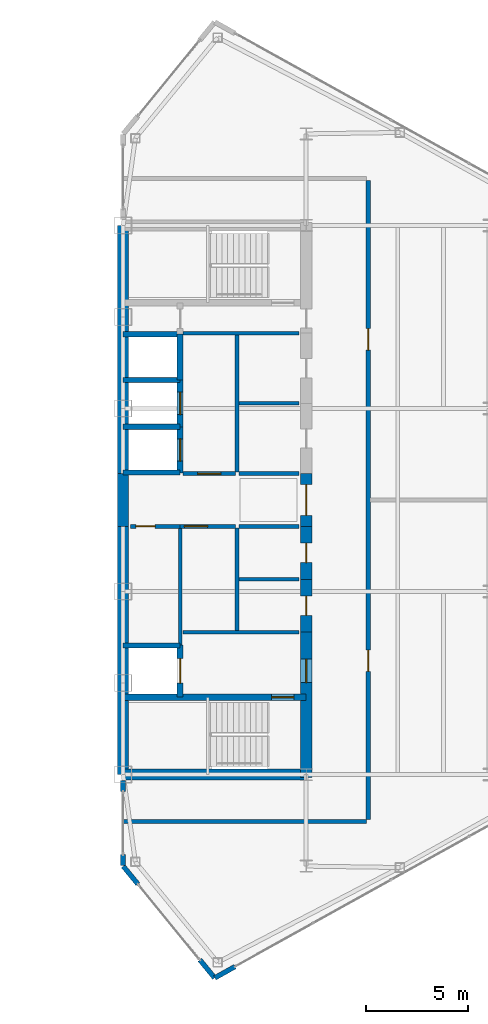
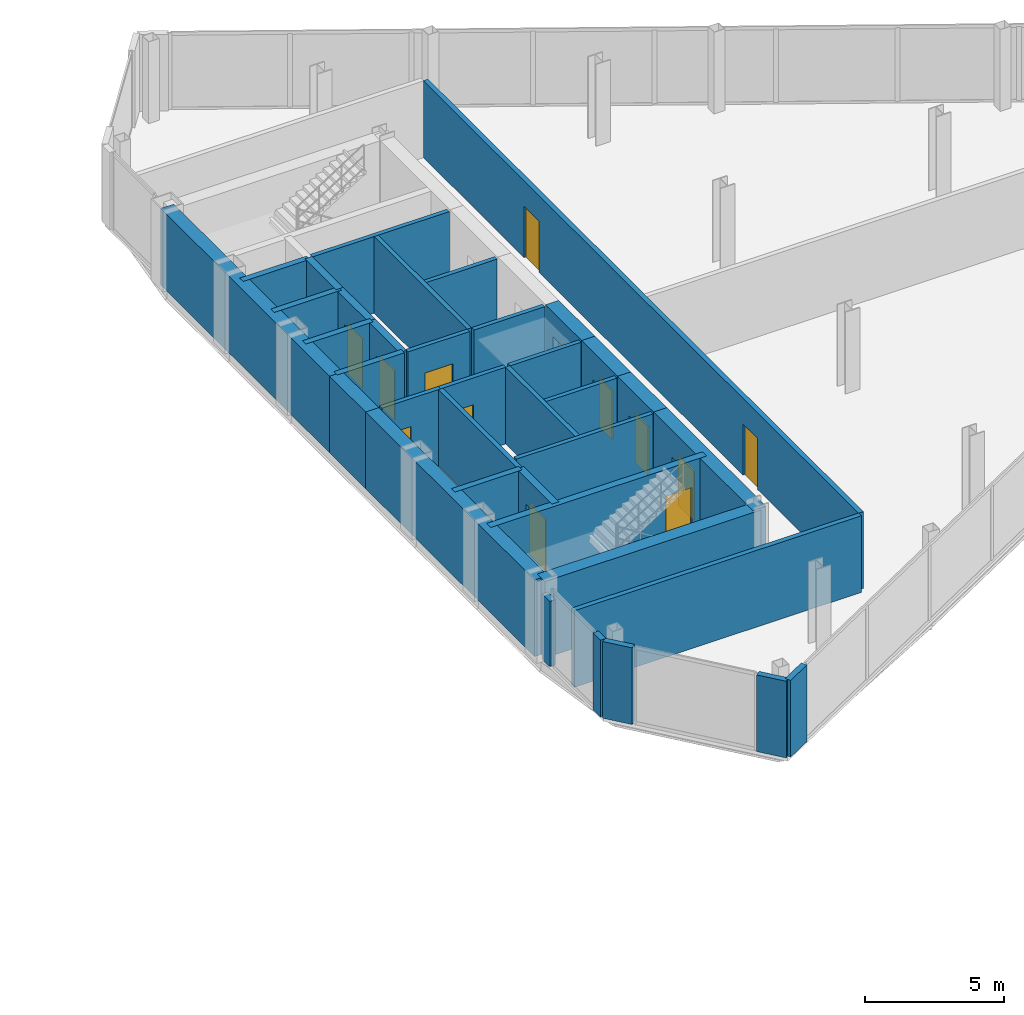
# One storey, part 22 of 26: 37 walls, 13 doors, 13 openings.
"""IFC4 building model written with IfcOpenShell, lengths in metres."""

from ifc_helpers import new_model, si_unit, direction, frame, frame_2d, origin, place, context, subcontext, project, spatial, rectangle, extrude, source, transform, mapped, material, layer, layer_set, type_object, type_shapes, element, fill, save


model = new_model("IFC4")

# Units and contexts
model_context = context("Model", 3, precision=1e-05, world=origin(), true_north=direction((0.0, 1.0)))
body_context = subcontext(model_context, "Body", "Model", "MODEL_VIEW")
ifc_project = project(units=[si_unit("LENGTHUNIT", "METRE"), si_unit("AREAUNIT", "SQUARE_METRE"), si_unit("VOLUMEUNIT", "CUBIC_METRE"), si_unit("PLANEANGLEUNIT", "RADIAN"), si_unit("MASSUNIT", "GRAM", prefix="KILO")], contexts=[model_context])

# Site, building, storey
site_placement = place(None, origin())
site = spatial("IfcSite", under=ifc_project, at=site_placement, CompositionType="ELEMENT")
building_placement = place(site_placement, origin())
building = spatial("IfcBuilding", under=site, at=building_placement, Name="Seokmaru Belvedere", CompositionType="ELEMENT")
storey_placement = place(building_placement, frame((0.0, 0.0, 181.5)))
storey = spatial("IfcBuildingStorey", under=building, at=storey_placement, Name="L48", CompositionType="ELEMENT", Elevation=181.5)

# Walls
ifc_material_1 = material(Name="Fire-Rated Gypsum Shaftwall")
ifc_layer_1 = layer(ifc_material_1, 0.179931640625)
ifc_layer_set_1 = layer_set([ifc_layer_1], Name="Fire-Rated Gypsum Shaftwall")
wall_type_1 = type_object("IfcWallType", Name="Core Service Fire Partition 180", PredefinedType="PARTITIONING", material=ifc_layer_set_1)
for number, where, z_axis, x_axis, name in (
    (1, (30.449951171875, -6.5, 0.0), (0.0, 0.0, 1.0), (1.0, 0.0, 0.0), "L48 East Firefighting Lobby Partition"),
    (2, (30.449951171875, 8.199951171875, 0.0), (0.0, 0.0, 1.0), (1.0, 0.0, 0.0), "L48 East Smokeproof Vestibule Partition"),
):
    element("IfcWall", number, at=place(storey_placement, frame(where, z_axis=z_axis, x_axis=x_axis)), inside=storey, type_object=wall_type_1, Name=name, PredefinedType="PARTITIONING", context=body_context, shape_type="SweptSolid", body=[
        extrude(rectangle(XDim=5.699951171875, YDim=0.179931640625, at=frame_2d((2.85009765625, 0.0))), origin(), (0.0, 0.0, 1.0), 3.3798828125),
    ])
wall_1_placement = place(storey_placement, frame((33.10009765625, -6.419921875, 0.0), z_axis=(0.0, 0.0, 1.0), x_axis=(0.0, 1.0, 0.0)))
element("IfcWall", 3, at=wall_1_placement, inside=storey, type_object=wall_type_1, Name="L48 East South Core Service Back Wall", PredefinedType="PARTITIONING", context=body_context, shape_type="SweptSolid", body=[
    extrude(rectangle(XDim=5.0400390625, YDim=0.179931640625, at=frame_2d((2.52001953125, 0.0))), origin(), (0.0, 0.0, 1.0), 3.3798828125),
])
wall_2_placement = place(storey_placement, frame((33.10009765625, 1.3798828125, 0.0), z_axis=(0.0, 0.0, 1.0), x_axis=(0.0, 1.0, 0.0)))
element("IfcWall", 4, at=wall_2_placement, inside=storey, type_object=wall_type_1, Name="L48 East North Core Service Back Wall", PredefinedType="PARTITIONING", context=body_context, shape_type="SweptSolid", body=[
    extrude(rectangle(XDim=6.740234375, YDim=0.179931640625, at=frame_2d((3.3701171875, 0.0))), origin(), (0.0, 0.0, 1.0), 3.3798828125),
])

# Wall, opening, door
wall_3_placement = place(storey_placement, frame((27.85009765625, -1.300048828125, 0.0), z_axis=(0.0, 0.0, 1.0), x_axis=(1.0, 0.0, 0.0)))
wall_3 = element("IfcWall", 5, at=wall_3_placement, inside=storey, type_object=wall_type_1, Name="L48 East South Parcel Vault Foyer Wall", PredefinedType="PARTITIONING", context=body_context, shape_type="SweptSolid", body=[
    extrude(rectangle(XDim=2.449951171875, YDim=0.179931640625, at=frame_2d((1.22509765625, 0.0))), origin(), (0.0, 0.0, 1.0), 3.3798828125),
])
opening_1_placement = place(wall_3_placement, frame((0.27490234375, 0.0, 0.0)))
opening_1 = element("IfcOpeningElement", 6, at=opening_1_placement, cuts=wall_3, Name="Opening D04", PredefinedType="OPENING", context=body_context, shape_type="SweptSolid", body=[
    extrude(rectangle(XDim=0.949951171875, YDim=2.14990234375, at=frame_2d((0.47509765625, 1.074951171875))), frame((0.0, 0.10009765625, 0.0), z_axis=(0.0, -1.0, 0.0), x_axis=(1.0, 0.0, 0.0)), (0.0, 0.0, 1.0), 0.199951171875),
])
ifc_material_2 = material(Name="Fire-Rated Steel Leaf", Category="steel")
door_type_1 = type_object("IfcDoorType", Name="Core Service Room Fire Door 950x2150", OperationType="NOTDEFINED", PredefinedType="DOOR", material=ifc_material_2)
shared_shape_1 = source(origin(), body_context, "Body", "SweptSolid", [
    extrude(rectangle(XDim=0.949951171875, YDim=2.14990234375, at=frame_2d((0.47509765625, 1.074951171875))), frame((0.0, 0.02490234375, 0.0), z_axis=(0.0, -1.0, 0.0), x_axis=(1.0, 0.0, 0.0)), (0.0, 0.0, 1.0), 0.050048828125),
])
type_shapes(door_type_1, [shared_shape_1])
door_1_placement = place(opening_1_placement, origin())
door_1 = element("IfcDoor", 7, at=door_1_placement, inside=storey, type_object=door_type_1, Name="L48 East South Parcel Vault Door", OperationType="SINGLE_SWING_RIGHT", OverallHeight=2.14990234375, OverallWidth=0.949951171875, PredefinedType="DOOR", context=body_context, shape_type="MappedRepresentation", body=[
    mapped(shared_shape_1, transform((0.0, 0.0, 0.0), scale=1.0)),
])
fill(opening_1, door_1)

wall_4_placement = place(storey_placement, frame((30.300048828125, -1.300048828125, 0.0), z_axis=(0.0, 0.0, 1.0), x_axis=(1.0, 0.0, 0.0)))
wall_4 = element("IfcWall", 8, at=wall_4_placement, inside=storey, type_object=wall_type_1, Name="L48 East South Wine Cellar Foyer Wall", PredefinedType="PARTITIONING", context=body_context, shape_type="SweptSolid", body=[
    extrude(rectangle(XDim=2.719970703125, YDim=0.179931640625, at=frame_2d((1.35986328125, 0.0))), origin(), (0.0, 0.0, 1.0), 3.3798828125),
])
opening_2_placement = place(wall_4_placement, frame((0.2099609375, 0.0, 0.0)))
opening_2 = element("IfcOpeningElement", 9, at=opening_2_placement, cuts=wall_4, Name="Opening D02", PredefinedType="OPENING", context=body_context, shape_type="SweptSolid", body=[
    extrude(rectangle(XDim=1.14990234375, YDim=2.199951171875, at=frame_2d((0.574951171875, 1.10009765625))), frame((0.0, 0.10009765625, 0.0), z_axis=(0.0, -1.0, 0.0), x_axis=(1.0, 0.0, 0.0)), (0.0, 0.0, 1.0), 0.199951171875),
])
door_type_2 = type_object("IfcDoorType", Name="Lobby and Vestibule Fire Door 1150x2200", OperationType="NOTDEFINED", PredefinedType="DOOR", material=ifc_material_2)
shared_shape_2 = source(origin(), body_context, "Body", "SweptSolid", [
    extrude(rectangle(XDim=1.14990234375, YDim=2.199951171875, at=frame_2d((0.574951171875, 1.10009765625))), frame((0.0, 0.02490234375, 0.0), z_axis=(0.0, -1.0, 0.0), x_axis=(1.0, 0.0, 0.0)), (0.0, 0.0, 1.0), 0.050048828125),
])
type_shapes(door_type_2, [shared_shape_2])
door_2_placement = place(opening_2_placement, origin())
door_2 = element("IfcDoor", 10, at=door_2_placement, inside=storey, type_object=door_type_2, Name="L48 East South Core Foyer Door", OperationType="SINGLE_SWING_RIGHT", OverallHeight=2.199951171875, OverallWidth=1.14990234375, PredefinedType="DOOR", context=body_context, shape_type="MappedRepresentation", body=[
    mapped(shared_shape_2, transform((0.0, 0.0, 0.0), scale=1.0)),
])
fill(opening_2, door_2)

# Wall
wall_5_placement = place(storey_placement, frame((30.300048828125, -7.1201171875, 0.0), z_axis=(0.0, 0.0, 1.0), x_axis=(0.0, 1.0, 0.0)))
element("IfcWall", 11, at=wall_5_placement, inside=storey, type_object=wall_type_1, Name="L48 East Freed Shaft Vault Partition", PredefinedType="PARTITIONING", context=body_context, shape_type="SweptSolid", body=[
    extrude(rectangle(XDim=5.740234375, YDim=0.179931640625, at=frame_2d((2.8701171875, 0.0))), origin(), (0.0, 0.0, 1.0), 3.3798828125),
])

# Wall, opening, door
wall_6_placement = place(storey_placement, frame((30.449951171875, 1.300048828125, 0.0), z_axis=(0.0, 0.0, 1.0), x_axis=(1.0, 0.0, 0.0)))
wall_6 = element("IfcWall", 12, at=wall_6_placement, inside=storey, type_object=wall_type_1, Name="L48 East North Lift Lobby Foyer Wall", PredefinedType="PARTITIONING", context=body_context, shape_type="SweptSolid", body=[
    extrude(rectangle(XDim=2.570068359375, YDim=0.179931640625, at=frame_2d((1.28515625, 0.0))), origin(), (0.0, 0.0, 1.0), 3.3798828125),
])
opening_3_placement = place(wall_6_placement, frame((0.7099609375, 0.0, 0.0)))
opening_3 = element("IfcOpeningElement", 13, at=opening_3_placement, cuts=wall_6, Name="Opening D02", PredefinedType="OPENING", context=body_context, shape_type="SweptSolid", body=[
    extrude(rectangle(XDim=1.14990234375, YDim=2.199951171875, at=frame_2d((0.574951171875, 1.10009765625))), frame((0.0, 0.10009765625, 0.0), z_axis=(0.0, -1.0, 0.0), x_axis=(1.0, 0.0, 0.0)), (0.0, 0.0, 1.0), 0.199951171875),
])
door_3_placement = place(opening_3_placement, origin())
door_3 = element("IfcDoor", 14, at=door_3_placement, inside=storey, type_object=door_type_2, Name="L48 East North Lift Lobby Door", OperationType="SINGLE_SWING_LEFT", OverallHeight=2.199951171875, OverallWidth=1.14990234375, PredefinedType="DOOR", context=body_context, shape_type="MappedRepresentation", body=[
    mapped(shared_shape_2, transform((0.0, 0.0, 0.0), scale=1.0)),
])
fill(opening_3, door_3)

# Walls
for number, where, z_axis, x_axis, name in (
    (15, (33.199951171875, -1.300048828125, 0.0), (0.0, 0.0, 1.0), (1.0, 0.0, 0.0), "L48 East Foyer Side Wall S"),
    (16, (33.199951171875, 1.300048828125, 0.0), (0.0, 0.0, 1.0), (1.0, 0.0, 0.0), "L48 East Foyer Side Wall N"),
    (17, (33.199951171875, -3.89990234375, 0.0), (0.0, 0.0, 1.0), (1.0, 0.0, 0.0), "L48 East Core Service Partition 1"),
    (18, (33.199951171875, 4.75, 0.0), (0.0, 0.0, 1.0), (1.0, 0.0, 0.0), "L48 East Core Service Partition 2"),
):
    element("IfcWall", number, at=place(storey_placement, frame(where, z_axis=z_axis, x_axis=x_axis)), inside=storey, type_object=wall_type_1, Name=name, PredefinedType="PARTITIONING", context=body_context, shape_type="SweptSolid", body=[
        extrude(rectangle(XDim=2.949951171875, YDim=0.179931640625, at=frame_2d((1.47509765625, 0.0))), origin(), (0.0, 0.0, 1.0), 3.3798828125),
    ])
ifc_material_3 = material(Name="Concrete C50 (50 MPa)", Category="concrete")
ifc_layer_2 = layer(ifc_material_3, 0.25)
ifc_layer_set_2 = layer_set([ifc_layer_2], Name="Concrete C50 (50 MPa)")
wall_type_2 = type_object("IfcWallType", Name="Hoistway Transverse Concrete Divider Wall 250", PredefinedType="SHEAR", material=ifc_layer_set_2)
for number, where, z_axis, x_axis, name in (
    (19, (27.5, -7.14990234375, 0.0), (0.0, 0.0, 1.0), (1.0, 0.0, 0.0), "L48 East Hoistway Divider Core Wall 1"),
    (20, (27.5, 1.35009765625, 0.0), (0.0, 0.0, 1.0), (1.0, 0.0, 0.0), "L48 East Hoistway Divider Core Wall 2"),
    (21, (27.5, 3.60009765625, 0.0), (0.0, 0.0, 1.0), (1.0, 0.0, 0.0), "L48 East Hoistway Divider Core Wall 3"),
    (22, (27.5, 5.89990234375, 0.0), (0.0, 0.0, 1.0), (1.0, 0.0, 0.0), "L48 East Hoistway Divider Core Wall 4"),
    (23, (27.5, 8.14990234375, 0.0), (0.0, 0.0, 1.0), (1.0, 0.0, 0.0), "L48 East Hoistway Divider Core Wall 5"),
):
    element("IfcWall", number, at=place(storey_placement, frame(where, z_axis=z_axis, x_axis=x_axis)), inside=storey, type_object=wall_type_2, Name=name, PredefinedType="SHEAR", context=body_context, shape_type="SweptSolid", body=[
        extrude(rectangle(XDim=2.800048828125, YDim=0.25, at=frame_2d((1.39990234375, 0.0))), origin(), (0.0, 0.0, 1.0), 3.3798828125),
    ])
ifc_layer_3 = layer(ifc_material_1, 0.199951171875)
ifc_layer_set_3 = layer_set([ifc_layer_3], Name="Fire-Rated Gypsum Shaftwall")
wall_type_3 = type_object("IfcWallType", Name="Inter-Tenancy Fire Compartment Partition 200", PredefinedType="PARTITIONING", material=ifc_layer_set_3)
wall_7_placement = place(storey_placement, frame((27.5, -15.800048828125, 0.0), z_axis=(0.0, 0.0, 1.0), x_axis=(1.0, 0.0, 0.0)))
element("IfcWall", 24, at=wall_7_placement, inside=storey, type_object=wall_type_3, Name="L48 Interior Partition 003", PredefinedType="PARTITIONING", context=body_context, shape_type="SweptSolid", body=[
    extrude(rectangle(XDim=11.965087890625, YDim=0.199951171875, at=frame_2d((5.982421875, 0.0))), origin(), (0.0, 0.0, 1.0), 3.3798828125),
])

# Wall, openings, doors
wall_8_placement = place(storey_placement, frame((39.550048828125, -15.715087890625, 0.0), z_axis=(0.0, 0.0, 1.0), x_axis=(0.0, 1.0, 0.0)))
wall_8 = element("IfcWall", 25, at=wall_8_placement, inside=storey, type_object=wall_type_3, Name="L48 Interior Partition 024", PredefinedType="PARTITIONING", context=body_context, shape_type="SweptSolid", body=[
    extrude(rectangle(XDim=31.43017578125, YDim=0.199951171875, at=frame_2d((15.715087890625, 0.0))), origin(), (0.0, 0.0, 1.0), 3.3798828125),
])
opening_4_placement = place(wall_8_placement, frame((7.2900390625, 0.0, 0.0)))
opening_4 = element("IfcOpeningElement", 26, at=opening_4_placement, cuts=wall_8, Name="Opening D03", PredefinedType="OPENING", context=body_context, shape_type="SweptSolid", body=[
    extrude(rectangle(XDim=1.050048828125, YDim=2.25, at=frame_2d((0.52490234375, 1.125))), frame((0.0, 0.10986328125, 0.0), z_axis=(0.0, -1.0, 0.0), x_axis=(1.0, 0.0, 0.0)), (0.0, 0.0, 1.0), 0.219970703125),
])
opening_5_placement = place(wall_8_placement, frame((23.090087890625, 0.0, 0.0)))
opening_5 = element("IfcOpeningElement", 27, at=opening_5_placement, cuts=wall_8, Name="Opening D03", PredefinedType="OPENING", context=body_context, shape_type="SweptSolid", body=[
    extrude(rectangle(XDim=1.050048828125, YDim=2.25, at=frame_2d((0.52490234375, 1.125))), frame((0.0, 0.10986328125, 0.0), z_axis=(0.0, -1.0, 0.0), x_axis=(1.0, 0.0, 0.0)), (0.0, 0.0, 1.0), 0.219970703125),
])
door_type_3 = type_object("IfcDoorType", Name="Apartment Entrance Fire Door 1050x2250", OperationType="NOTDEFINED", PredefinedType="DOOR", material=ifc_material_2)
shared_shape_3 = source(origin(), body_context, "Body", "SweptSolid", [
    extrude(rectangle(XDim=1.050048828125, YDim=2.25, at=frame_2d((0.52490234375, 1.125))), frame((0.0, 0.02490234375, 0.0), z_axis=(0.0, -1.0, 0.0), x_axis=(1.0, 0.0, 0.0)), (0.0, 0.0, 1.0), 0.050048828125),
])
type_shapes(door_type_3, [shared_shape_3])
door_4_placement = place(opening_4_placement, origin())
door_4 = element("IfcDoor", 28, at=door_4_placement, inside=storey, type_object=door_type_3, Name="L48 Interior Door 020", OperationType="SINGLE_SWING_LEFT", OverallHeight=2.25, OverallWidth=1.050048828125, PredefinedType="DOOR", context=body_context, shape_type="MappedRepresentation", body=[
    mapped(shared_shape_3, transform((0.0, 0.0, 0.0), scale=1.0)),
])
fill(opening_4, door_4)
door_5_placement = place(opening_5_placement, origin())
door_5 = element("IfcDoor", 29, at=door_5_placement, inside=storey, type_object=door_type_3, Name="L48 Interior Door 021", OperationType="SINGLE_SWING_RIGHT", OverallHeight=2.25, OverallWidth=1.050048828125, PredefinedType="DOOR", context=body_context, shape_type="MappedRepresentation", body=[
    mapped(shared_shape_3, transform((0.0, 0.0, 0.0), scale=1.0)),
])
fill(opening_5, door_5)

# Wall, opening, door
ifc_layer_4 = layer(ifc_material_3, 0.300048828125)
ifc_layer_set_4 = layer_set([ifc_layer_4], Name="Concrete C50 (50 MPa)")
wall_type_4 = type_object("IfcWallType", Name="Internal Core Stair and Hoistway Wall 300", PredefinedType="SHEAR", material=ifc_layer_set_4)
wall_9_placement = place(storey_placement, frame((27.5, -9.699951171875, 0.0), z_axis=(0.0, 0.0, 1.0), x_axis=(1.0, 0.0, 0.0)))
wall_9 = element("IfcWall", 30, at=wall_9_placement, inside=storey, type_object=wall_type_4, Name="L48 East Stair ST-1 Enclosure Wall", PredefinedType="SHEAR", context=body_context, shape_type="SweptSolid", body=[
    extrude(rectangle(XDim=9.0, YDim=0.300048828125, at=frame_2d((4.5, 0.0))), origin(), (0.0, 0.0, 1.0), 3.3798828125),
])
opening_6_placement = place(wall_9_placement, frame((7.300048828125, 0.0, 0.0)))
opening_6 = element("IfcOpeningElement", 31, at=opening_6_placement, cuts=wall_9, Name="Opening D01", PredefinedType="OPENING", context=body_context, shape_type="SweptSolid", body=[
    extrude(rectangle(XDim=1.10009765625, YDim=2.199951171875, at=frame_2d((0.550048828125, 1.10009765625))), frame((0.0, 0.16015625, 0.0), z_axis=(0.0, -1.0, 0.0), x_axis=(1.0, 0.0, 0.0)), (0.0, 0.0, 1.0), 0.320068359375),
])
door_type_4 = type_object("IfcDoorType", Name="Special Escape Stair Smokeproof Fire Door 1100x2200", OperationType="NOTDEFINED", PredefinedType="DOOR", material=ifc_material_2)
shared_shape_4 = source(origin(), body_context, "Body", "SweptSolid", [
    extrude(rectangle(XDim=1.10009765625, YDim=2.199951171875, at=frame_2d((0.550048828125, 1.10009765625))), frame((0.0, 0.02490234375, 0.0), z_axis=(0.0, -1.0, 0.0), x_axis=(1.0, 0.0, 0.0)), (0.0, 0.0, 1.0), 0.050048828125),
])
type_shapes(door_type_4, [shared_shape_4])
door_6_placement = place(opening_6_placement, frame((1.10009765625, 0.0, 0.0), z_axis=(0.0, 0.0, 1.0), x_axis=(-1.0, 0.0, 0.0)))
door_6 = element("IfcDoor", 32, at=door_6_placement, inside=storey, type_object=door_type_4, Name="L48 East Special Escape Stair ST-1 Door", OperationType="SINGLE_SWING_RIGHT", OverallHeight=2.199951171875, OverallWidth=1.10009765625, PredefinedType="DOOR", context=body_context, shape_type="MappedRepresentation", body=[
    mapped(shared_shape_4, transform((0.0, 0.0, 0.0), scale=1.0)),
])
fill(opening_6, door_6)

wall_10_placement = place(storey_placement, frame((30.300048828125, -9.679931640625, 0.0), z_axis=(0.0, 0.0, 1.0), x_axis=(0.0, 1.0, 0.0)))
wall_10 = element("IfcWall", 33, at=wall_10_placement, inside=storey, type_object=wall_type_4, Name="L48 East Firefighting Lift Shaft Front Wall", PredefinedType="SHEAR", context=body_context, shape_type="SweptSolid", body=[
    extrude(rectangle(XDim=2.559814453125, YDim=0.300048828125, at=frame_2d((1.27978515625, 0.0))), origin(), (0.0, 0.0, 1.0), 3.3798828125),
])
opening_7_placement = place(wall_10_placement, frame((0.679931640625, 0.0, 0.0)))
opening_7 = element("IfcOpeningElement", 34, at=opening_7_placement, cuts=wall_10, Name="Opening LD2", PredefinedType="OPENING", context=body_context, shape_type="SweptSolid", body=[
    extrude(rectangle(XDim=1.199951171875, YDim=2.25, at=frame_2d((0.60009765625, 1.125))), frame((0.0, 0.16015625, 0.0), z_axis=(0.0, -1.0, 0.0), x_axis=(1.0, 0.0, 0.0)), (0.0, 0.0, 1.0), 0.320068359375),
])
ifc_material_4 = material(Name="Stainless Steel 316", Category="steel")
door_type_5 = type_object("IfcDoorType", Name="Firefighting Lift Sliding Landing Door 1200x2250", OperationType="DOUBLE_DOOR_SLIDING", PredefinedType="DOOR", material=ifc_material_4)
shared_shape_5 = source(origin(), body_context, "Body", "SweptSolid", [
    extrude(rectangle(XDim=1.199951171875, YDim=2.25, at=frame_2d((0.60009765625, 1.125))), frame((0.0, 0.02490234375, 0.0), z_axis=(0.0, -1.0, 0.0), x_axis=(1.0, 0.0, 0.0)), (0.0, 0.0, 1.0), 0.050048828125),
])
type_shapes(door_type_5, [shared_shape_5])
door_7_placement = place(opening_7_placement, origin())
door_7 = element("IfcDoor", 35, at=door_7_placement, inside=storey, type_object=door_type_5, Name="L48 East Firefighting Lift Landing Door", OperationType="DOUBLE_DOOR_SLIDING", OverallHeight=2.25, OverallWidth=1.199951171875, PredefinedType="DOOR", context=body_context, shape_type="MappedRepresentation", body=[
    mapped(shared_shape_5, transform((0.0, 0.0, 0.0), scale=1.0)),
])
fill(opening_7, door_7)

wall_11_placement = place(storey_placement, frame((30.300048828125, 1.320068359375, 0.0), z_axis=(0.0, 0.0, 1.0), x_axis=(0.0, 1.0, 0.0)))
wall_11 = element("IfcWall", 36, at=wall_11_placement, inside=storey, type_object=wall_type_4, Name="L48 East North Hoistway Wall PH1", PredefinedType="SHEAR", context=body_context, shape_type="SweptSolid", body=[
    extrude(rectangle(XDim=2.280029296875, YDim=0.300048828125, at=frame_2d((1.14013671875, 0.0))), origin(), (0.0, 0.0, 1.0), 3.3798828125),
])
opening_8_placement = place(wall_11_placement, frame((0.590087890625, 0.0, 0.0)))
opening_8 = element("IfcOpeningElement", 37, at=opening_8_placement, cuts=wall_11, Name="Opening LD1", PredefinedType="OPENING", context=body_context, shape_type="SweptSolid", body=[
    extrude(rectangle(XDim=1.10009765625, YDim=2.199951171875, at=frame_2d((0.550048828125, 1.10009765625))), frame((0.0, 0.16015625, 0.0), z_axis=(0.0, -1.0, 0.0), x_axis=(1.0, 0.0, 0.0)), (0.0, 0.0, 1.0), 0.320068359375),
])
door_type_6 = type_object("IfcDoorType", Name="Passenger Lift Sliding Landing Door 1100x2200", OperationType="DOUBLE_DOOR_SLIDING", PredefinedType="DOOR", material=ifc_material_4)
shared_shape_6 = source(origin(), body_context, "Body", "SweptSolid", [
    extrude(rectangle(XDim=1.10009765625, YDim=2.199951171875, at=frame_2d((0.550048828125, 1.10009765625))), frame((0.0, 0.02490234375, 0.0), z_axis=(0.0, -1.0, 0.0), x_axis=(1.0, 0.0, 0.0)), (0.0, 0.0, 1.0), 0.050048828125),
])
type_shapes(door_type_6, [shared_shape_6])
door_8_placement = place(opening_8_placement, origin())
door_8 = element("IfcDoor", 38, at=door_8_placement, inside=storey, type_object=door_type_6, Name="L48 East High-Rise Lift PH-1 Landing Door", OperationType="DOUBLE_DOOR_SLIDING", OverallHeight=2.199951171875, OverallWidth=1.10009765625, PredefinedType="DOOR", context=body_context, shape_type="MappedRepresentation", body=[
    mapped(shared_shape_6, transform((0.0, 0.0, 0.0), scale=1.0)),
])
fill(opening_8, door_8)

wall_12_placement = place(storey_placement, frame((30.300048828125, 3.60009765625, 0.0), z_axis=(0.0, 0.0, 1.0), x_axis=(0.0, 1.0, 0.0)))
wall_12 = element("IfcWall", 39, at=wall_12_placement, inside=storey, type_object=wall_type_4, Name="L48 East North Hoistway Wall PH2", PredefinedType="SHEAR", context=body_context, shape_type="SweptSolid", body=[
    extrude(rectangle(XDim=2.2998046875, YDim=0.300048828125, at=frame_2d((1.14990234375, 0.0))), origin(), (0.0, 0.0, 1.0), 3.3798828125),
])
opening_9_placement = place(wall_12_placement, frame((0.60009765625, 0.0, 0.0)))
opening_9 = element("IfcOpeningElement", 40, at=opening_9_placement, cuts=wall_12, Name="Opening LD1", PredefinedType="OPENING", context=body_context, shape_type="SweptSolid", body=[
    extrude(rectangle(XDim=1.10009765625, YDim=2.199951171875, at=frame_2d((0.550048828125, 1.10009765625))), frame((0.0, 0.16015625, 0.0), z_axis=(0.0, -1.0, 0.0), x_axis=(1.0, 0.0, 0.0)), (0.0, 0.0, 1.0), 0.320068359375),
])
door_9_placement = place(opening_9_placement, origin())
door_9 = element("IfcDoor", 41, at=door_9_placement, inside=storey, type_object=door_type_6, Name="L48 East High-Rise Lift PH-2 Landing Door", OperationType="DOUBLE_DOOR_SLIDING", OverallHeight=2.199951171875, OverallWidth=1.10009765625, PredefinedType="DOOR", context=body_context, shape_type="MappedRepresentation", body=[
    mapped(shared_shape_6, transform((0.0, 0.0, 0.0), scale=1.0)),
])
fill(opening_9, door_9)

# Walls
wall_13_placement = place(storey_placement, frame((30.300048828125, 5.89990234375, 0.0), z_axis=(0.0, 0.0, 1.0), x_axis=(0.0, 1.0, 0.0)))
element("IfcWall", 42, at=wall_13_placement, inside=storey, type_object=wall_type_4, Name="L48 East North Hoistway Wall OBS", PredefinedType="SHEAR", context=body_context, shape_type="SweptSolid", body=[
    extrude(rectangle(XDim=2.25, YDim=0.300048828125, at=frame_2d((1.125, 0.0))), origin(), (0.0, 0.0, 1.0), 3.3798828125),
])
ifc_layer_5 = layer(ifc_material_3, 0.550048828125)
ifc_layer_set_5 = layer_set([ifc_layer_5], Name="Concrete C50 (50 MPa)")
wall_type_5 = type_object("IfcWallType", Name="Mid-High Reinforced Concrete Core Wall 550", PredefinedType="SHEAR", material=ifc_layer_set_5)
for number, where, z_axis, x_axis, name in (
    (43, (27.5, -13.5, 0.0), (0.0, 0.0, 1.0), (0.0, 1.0, 0.0), "L48 East Portal Spine Core Wall South"),
    (44, (27.5, 1.300048828125, 0.0), (0.0, 0.0, 1.0), (0.0, 1.0, 0.0), "L48 East Portal Spine Core Wall North"),
):
    element("IfcWall", number, at=place(storey_placement, frame(where, z_axis=z_axis, x_axis=x_axis)), inside=storey, type_object=wall_type_5, Name=name, PredefinedType="SHEAR", context=body_context, shape_type="SweptSolid", body=[
        extrude(rectangle(XDim=12.199951171875, YDim=0.550048828125, at=frame_2d((6.10009765625, 0.0))), origin(), (0.0, 0.0, 1.0), 3.3798828125),
    ])
wall_14_placement = place(storey_placement, frame((27.5, -1.300048828125, 0.0), z_axis=(0.0, 0.0, 1.0), x_axis=(0.0, 1.0, 0.0)))
element("IfcWall", 45, at=wall_14_placement, inside=storey, type_object=wall_type_5, Name="L48 East Portal Spine Core Wall Center", PredefinedType="SHEAR", context=body_context, shape_type="SweptSolid", body=[
    extrude(rectangle(XDim=2.60009765625, YDim=0.550048828125, at=frame_2d((1.300048828125, 0.0))), origin(), (0.0, 0.0, 1.0), 3.3798828125),
])
wall_15_placement = place(storey_placement, frame((27.5, -13.5, 0.0), z_axis=(0.0, 0.0, 1.0), x_axis=(1.0, 0.0, 0.0)))
element("IfcWall", 46, at=wall_15_placement, inside=storey, type_object=wall_type_5, Name="L48 East South Core Wall", PredefinedType="SHEAR", context=body_context, shape_type="SweptSolid", body=[
    extrude(rectangle(XDim=9.0, YDim=0.550048828125, at=frame_2d((4.5, 0.0))), origin(), (0.0, 0.0, 1.0), 3.3798828125),
])

# Wall, opening, door
wall_16_placement = place(storey_placement, frame((36.5, -13.64990234375, 0.0), z_axis=(0.0, 0.0, 1.0), x_axis=(0.0, 1.0, 0.0)))
wall_16 = element("IfcWall", 47, at=wall_16_placement, inside=storey, type_object=wall_type_5, Name="L48 East West Core Wall FF", PredefinedType="SHEAR", context=body_context, shape_type="SweptSolid", body=[
    extrude(rectangle(XDim=7.14990234375, YDim=0.550048828125, at=frame_2d((3.574951171875, 0.0))), origin(), (0.0, 0.0, 1.0), 3.3798828125),
])
opening_10_placement = place(wall_16_placement, frame((4.675048828125, 0.0, 0.0)))
opening_10 = element("IfcOpeningElement", 48, at=opening_10_placement, cuts=wall_16, Name="Opening D02", PredefinedType="OPENING", context=body_context, shape_type="SweptSolid", body=[
    extrude(rectangle(XDim=1.14990234375, YDim=2.199951171875, at=frame_2d((0.574951171875, 1.10009765625))), frame((0.0, 0.28515625, 0.0), z_axis=(0.0, -1.0, 0.0), x_axis=(1.0, 0.0, 0.0)), (0.0, 0.0, 1.0), 0.570068359375),
])
door_10_placement = place(opening_10_placement, origin())
door_10 = element("IfcDoor", 49, at=door_10_placement, inside=storey, type_object=door_type_2, Name="L48 East Firefighting Lobby Door", OperationType="SINGLE_SWING_RIGHT", OverallHeight=2.199951171875, OverallWidth=1.14990234375, PredefinedType="DOOR", context=body_context, shape_type="MappedRepresentation", body=[
    mapped(shared_shape_2, transform((0.0, 0.0, 0.0), scale=1.0)),
])
fill(opening_10, door_10)

wall_17_placement = place(storey_placement, frame((36.5, -1.300048828125, 0.0), z_axis=(0.0, 0.0, 1.0), x_axis=(0.0, 1.0, 0.0)))
wall_17 = element("IfcWall", 50, at=wall_17_placement, inside=storey, type_object=wall_type_5, Name="L48 East West Core Wall FOY", PredefinedType="SHEAR", context=body_context, shape_type="SweptSolid", body=[
    extrude(rectangle(XDim=2.60009765625, YDim=0.550048828125, at=frame_2d((1.300048828125, 0.0))), origin(), (0.0, 0.0, 1.0), 3.3798828125),
])
opening_11_placement = place(wall_17_placement, frame((0.550048828125, 0.0, 0.0)))
opening_11 = element("IfcOpeningElement", 51, at=opening_11_placement, cuts=wall_17, Name="Opening D08", PredefinedType="OPENING", context=body_context, shape_type="SweptSolid", body=[
    extrude(rectangle(XDim=1.5, YDim=2.300048828125, at=frame_2d((0.75, 1.14990234375))), frame((0.0, 0.28515625, 0.0), z_axis=(0.0, -1.0, 0.0), x_axis=(1.0, 0.0, 0.0)), (0.0, 0.0, 1.0), 0.570068359375),
])
door_type_7 = type_object("IfcDoorType", Name="Cross-Corridor Compartment Double Fire Door 1500x2300", OperationType="DOUBLE_SWING_LEFT", PredefinedType="DOOR", material=ifc_material_2)
shared_shape_7 = source(origin(), body_context, "Body", "SweptSolid", [
    extrude(rectangle(XDim=1.5, YDim=2.300048828125, at=frame_2d((0.75, 1.14990234375))), frame((0.0, 0.02490234375, 0.0), z_axis=(0.0, -1.0, 0.0), x_axis=(1.0, 0.0, 0.0)), (0.0, 0.0, 1.0), 0.050048828125),
])
type_shapes(door_type_7, [shared_shape_7])
door_11_placement = place(opening_11_placement, origin())
door_11 = element("IfcDoor", 52, at=door_11_placement, inside=storey, type_object=door_type_7, Name="L48 East Core Foyer Compartment Door", OperationType="DOUBLE_SWING_LEFT", OverallHeight=2.300048828125, OverallWidth=1.5, PredefinedType="DOOR", context=body_context, shape_type="MappedRepresentation", body=[
    mapped(shared_shape_7, transform((0.0, 0.0, 0.0), scale=1.0)),
])
fill(opening_11, door_11)

wall_18_placement = place(storey_placement, frame((36.5, -6.5, 0.0), z_axis=(0.0, 0.0, 1.0), x_axis=(0.0, 1.0, 0.0)))
wall_18 = element("IfcWall", 53, at=wall_18_placement, inside=storey, type_object=wall_type_5, Name="L48 East West Core Wall CS1", PredefinedType="SHEAR", context=body_context, shape_type="SweptSolid", body=[
    extrude(rectangle(XDim=2.60009765625, YDim=0.550048828125, at=frame_2d((1.300048828125, 0.0))), origin(), (0.0, 0.0, 1.0), 3.3798828125),
])
opening_12_placement = place(wall_18_placement, frame((0.824951171875, 0.0, 0.0)))
opening_12 = element("IfcOpeningElement", 54, at=opening_12_placement, cuts=wall_18, Name="Opening D04", PredefinedType="OPENING", context=body_context, shape_type="SweptSolid", body=[
    extrude(rectangle(XDim=0.949951171875, YDim=2.14990234375, at=frame_2d((0.47509765625, 1.074951171875))), frame((0.0, 0.28515625, 0.0), z_axis=(0.0, -1.0, 0.0), x_axis=(1.0, 0.0, 0.0)), (0.0, 0.0, 1.0), 0.570068359375),
])
door_12_placement = place(opening_12_placement, origin())
door_12 = element("IfcDoor", 55, at=door_12_placement, inside=storey, type_object=door_type_1, Name="L48 East Core Service Room Door 1", OperationType="SINGLE_SWING_RIGHT", OverallHeight=2.14990234375, OverallWidth=0.949951171875, PredefinedType="DOOR", context=body_context, shape_type="MappedRepresentation", body=[
    mapped(shared_shape_1, transform((0.0, 0.0, 0.0), scale=1.0)),
])
fill(opening_12, door_12)

wall_19_placement = place(storey_placement, frame((36.5, -3.89990234375, 0.0), z_axis=(0.0, 0.0, 1.0), x_axis=(0.0, 1.0, 0.0)))
wall_19 = element("IfcWall", 56, at=wall_19_placement, inside=storey, type_object=wall_type_5, Name="L48 East West Core Wall CS2", PredefinedType="SHEAR", context=body_context, shape_type="SweptSolid", body=[
    extrude(rectangle(XDim=2.599853515625, YDim=0.550048828125, at=frame_2d((1.2998046875, 0.0))), origin(), (0.0, 0.0, 1.0), 3.3798828125),
])
opening_13_placement = place(wall_19_placement, frame((0.824951171875, 0.0, 0.0)))
opening_13 = element("IfcOpeningElement", 57, at=opening_13_placement, cuts=wall_19, Name="Opening D04", PredefinedType="OPENING", context=body_context, shape_type="SweptSolid", body=[
    extrude(rectangle(XDim=0.949951171875, YDim=2.14990234375, at=frame_2d((0.47509765625, 1.074951171875))), frame((0.0, 0.28515625, 0.0), z_axis=(0.0, -1.0, 0.0), x_axis=(1.0, 0.0, 0.0)), (0.0, 0.0, 1.0), 0.570068359375),
])
door_13_placement = place(opening_13_placement, origin())
door_13 = element("IfcDoor", 58, at=door_13_placement, inside=storey, type_object=door_type_1, Name="L48 East Core Service Room Door 2", OperationType="SINGLE_SWING_LEFT", OverallHeight=2.14990234375, OverallWidth=0.949951171875, PredefinedType="DOOR", context=body_context, shape_type="MappedRepresentation", body=[
    mapped(shared_shape_1, transform((0.0, 0.0, 0.0), scale=1.0)),
])
fill(opening_13, door_13)

# Walls
ifc_material_5 = material(Name="Anodised Bronze Aluminium", Category="aluminium")
ifc_layer_6 = layer(ifc_material_5, 0.239990234375)
ifc_layer_set_6 = layer_set([ifc_layer_6], Name="Anodised Bronze Aluminium")
wall_type_6 = type_object("IfcWallType", Name="Tower Corner Spandrel Closure Wall 240", PredefinedType="SOLIDWALL", material=ifc_layer_set_6)
wall_20_placement = place(storey_placement, frame((32.0087890625, -23.4951171875, 0.0), z_axis=(0.0, 0.0, 1.0), x_axis=(0.87385402111, 0.486188389196, 0.0)))
element("IfcWall", 59, at=wall_20_placement, inside=storey, type_object=wall_type_6, Name="L48 E Corner Closure Pier 1A", PredefinedType="SOLIDWALL", context=body_context, shape_type="SweptSolid", body=[
    extrude(rectangle(XDim=1.139892578125, YDim=0.239990234375, at=frame_2d((0.56982421875, 0.0))), origin(), (0.0, 0.0, 1.0), 3.3798828125),
])
wall_21_placement = place(storey_placement, frame((27.5, -17.97998046875, 0.0), z_axis=(0.0, 0.0, 1.0), x_axis=(0.0, 1.0, 0.0)))
element("IfcWall", 60, at=wall_21_placement, inside=storey, type_object=wall_type_6, Name="L48 E Spine Closure Pier 1A", PredefinedType="SOLIDWALL", context=body_context, shape_type="SweptSolid", body=[
    extrude(rectangle(XDim=0.550048828125, YDim=0.239990234375, at=frame_2d((0.27490234375, 0.0))), origin(), (0.0, 0.0, 1.0), 3.3798828125),
])
wall_22_placement = place(storey_placement, frame((27.5, -14.330078125, 0.0), z_axis=(0.0, 0.0, 1.0), x_axis=(0.0, 1.0, 0.0)))
element("IfcWall", 61, at=wall_22_placement, inside=storey, type_object=wall_type_6, Name="L48 E Spine Closure Pier 1B", PredefinedType="SOLIDWALL", context=body_context, shape_type="SweptSolid", body=[
    extrude(rectangle(XDim=0.550048828125, YDim=0.239990234375, at=frame_2d((0.27490234375, 0.0))), origin(), (0.0, 0.0, 1.0), 2.8798828125),
])
for number, where, z_axis, x_axis, name in (
    (62, (27.50634765625, -18.0078125, 0.0), (0.0, 0.0, 1.0), (0.633249451965, -0.77394775766, 0.0), "L48 E Corner Closure Pier 6A"),
    (63, (31.271728515625, -22.60986328125, 0.0), (0.0, 0.0, 1.0), (0.633249451965, -0.77394775766, 0.0), "L48 E Corner Closure Pier 6B"),
):
    element("IfcWall", number, at=place(storey_placement, frame(where, z_axis=z_axis, x_axis=x_axis)), inside=storey, type_object=wall_type_6, Name=name, PredefinedType="SOLIDWALL", context=body_context, shape_type="SweptSolid", body=[
        extrude(rectangle(XDim=1.14013671875, YDim=0.239990234375, at=frame_2d((0.570068359375, 0.0))), origin(), (0.0, 0.0, 1.0), 3.3798828125),
    ])

save(model, "model.ifc")
